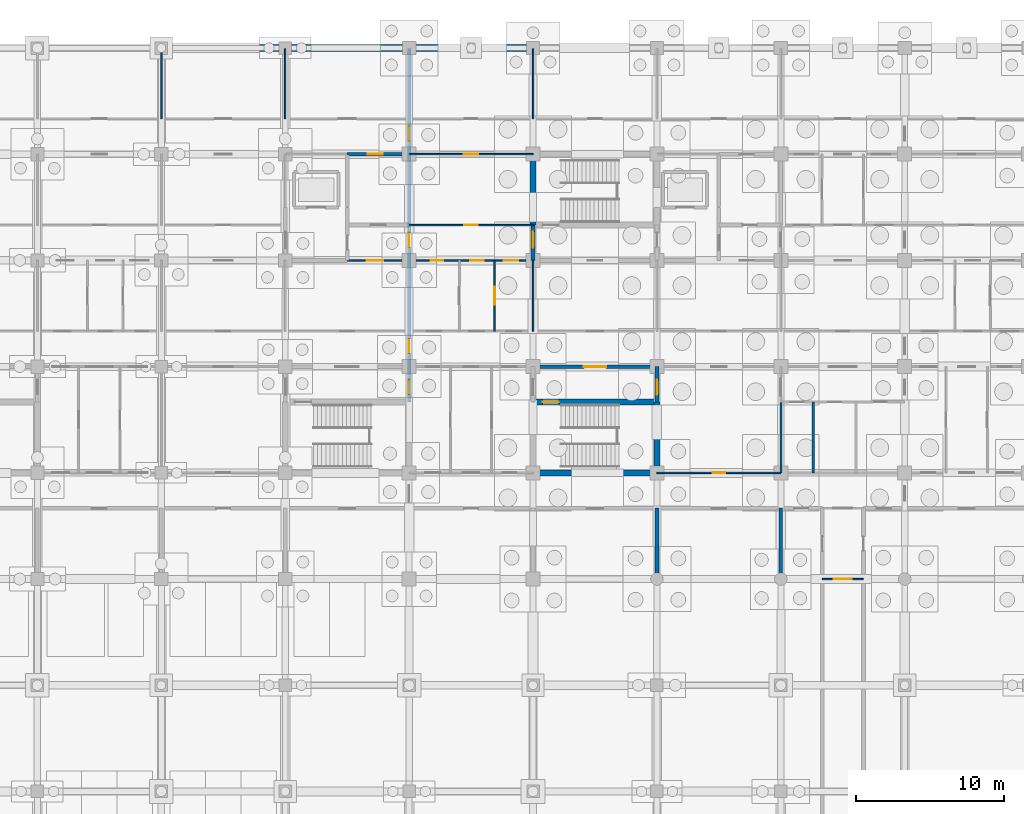
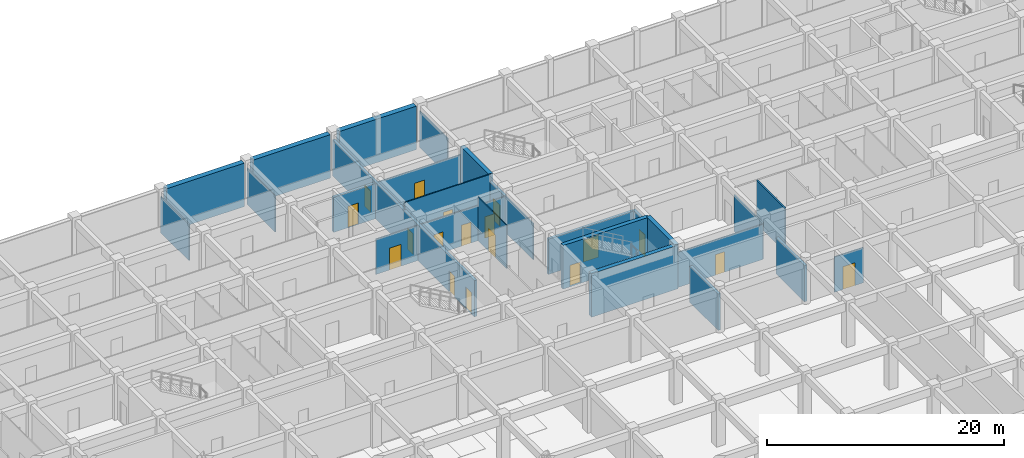
# One storey, part 36 of 85: 26 walls, 18 doors, 18 openings.
"""IFC4 building model written with IfcOpenShell, lengths in metres."""

from ifc_helpers import new_model, si_unit, direction, frame, frame_2d, origin, place, context, subcontext, project, spatial, rectangle, extrude, material, layer, layer_set, type_object, element, fill, save


model = new_model("IFC4")

# Units and contexts
model_context = context("Model", 3, precision=1e-05, world=origin(), true_north=direction((0.0, 1.0)))
body_context = subcontext(model_context, "Body", "Model", "MODEL_VIEW")
ifc_project = project(units=[si_unit("LENGTHUNIT", "METRE"), si_unit("AREAUNIT", "SQUARE_METRE"), si_unit("VOLUMEUNIT", "CUBIC_METRE"), si_unit("PLANEANGLEUNIT", "RADIAN"), si_unit("MASSUNIT", "GRAM", prefix="KILO")], contexts=[model_context])

# Site, building, storey
site_placement = place(None, origin())
site = spatial("IfcSite", under=ifc_project, at=site_placement, CompositionType="ELEMENT")
building_placement = place(site_placement, origin())
building = spatial("IfcBuilding", under=site, at=building_placement, Name="Chengyuan Square Courthouse", CompositionType="ELEMENT")
storey_placement = place(building_placement, frame((0.0, 0.0, -10.199951171875)))
storey = spatial("IfcBuildingStorey", under=building, at=storey_placement, Name="B02", CompositionType="ELEMENT", Elevation=-10.199951171875)

# Wall, opening, door
ifc_material_1 = material(Name="Concrete C40", Category="concrete")
ifc_layer_1 = layer(ifc_material_1, 0.25)
ifc_layer_set_1 = layer_set([ifc_layer_1], Name="Concrete C40")
wall_type_1 = type_object("IfcWallType", Name="WL-FW1", PredefinedType="STANDARD", material=ifc_layer_set_1)
wall_1_placement = place(storey_placement, frame((58.800048828125, 93.60009765625, 0.0), z_axis=(0.0, 0.0, 1.0), x_axis=(1.0, 0.0, 0.0)))
wall_1 = element("IfcWall", 1, at=wall_1_placement, inside=storey, type_object=wall_type_1, Name="Interior Wall WL-B02-I054", PredefinedType="STANDARD", context=body_context, shape_type="SweptSolid", body=[
    extrude(rectangle(XDim=8.39990234375, YDim=0.25, at=frame_2d((4.199951171875, 0.0))), origin(), (0.0, 0.0, 1.0), 3.6298828125),
])
opening_1_placement = place(wall_1_placement, frame((3.449951171875, 0.0, 0.0)))
opening_1 = element("IfcOpeningElement", 2, at=opening_1_placement, cuts=wall_1, Name="Opening DR-027", PredefinedType="OPENING", context=body_context, shape_type="SweptSolid", body=[
    extrude(rectangle(XDim=1.5, YDim=2.25, at=frame_2d((0.75, 1.125))), frame((0.0, 0.136962890625, 0.0), z_axis=(0.0, -1.0, 0.0), x_axis=(1.0, 0.0, 0.0)), (0.0, 0.0, 1.0), 0.27392578125),
])
ifc_material_2 = material(Name="Steel Q235B Glazed Fire Door", Category="steel")
door_type_1 = type_object("IfcDoorType", Name="DT-19", OperationType="DOUBLE_DOOR_SINGLE_SWING", PredefinedType="DOOR", material=ifc_material_2)
door_1_placement = place(opening_1_placement, frame((1.5, 0.0, 0.0), z_axis=(0.0, 0.0, 1.0), x_axis=(-1.0, 0.0, 0.0)))
door_1 = element("IfcDoor", 3, at=door_1_placement, inside=storey, type_object=door_type_1, Name="Interior Door DR-027", OperationType="DOUBLE_DOOR_SINGLE_SWING", OverallHeight=2.25, OverallWidth=1.5, PredefinedType="DOOR", context=body_context, shape_type="SweptSolid", body=[
    extrude(rectangle(XDim=1.5, YDim=2.25, at=frame_2d((0.75, 1.125))), frame((0.0, 0.02490234375, 0.0), z_axis=(0.0, -1.0, 0.0), x_axis=(1.0, 0.0, 0.0)), (0.0, 0.0, 1.0), 0.050048828125),
])
fill(opening_1, door_1)

wall_2_placement = place(storey_placement, frame((46.199951171875, 108.0, 0.0), z_axis=(0.0, 0.0, 1.0), x_axis=(1.0, 0.0, 0.0)))
wall_2 = element("IfcWall", 4, at=wall_2_placement, inside=storey, type_object=wall_type_1, Name="Interior Wall WL-B02-I096", PredefinedType="STANDARD", context=body_context, shape_type="SweptSolid", body=[
    extrude(rectangle(XDim=4.199951171875, YDim=0.25, at=frame_2d((2.10009765625, 0.0))), origin(), (0.0, 0.0, 1.0), 3.6298828125),
])
opening_2_placement = place(wall_2_placement, frame((1.402587890625, 0.0, 0.0)))
opening_2 = element("IfcOpeningElement", 5, at=opening_2_placement, cuts=wall_2, Name="Opening DR-077", PredefinedType="OPENING", context=body_context, shape_type="SweptSolid", body=[
    extrude(rectangle(XDim=1.0, YDim=2.199951171875, at=frame_2d((0.5, 1.10009765625))), frame((0.0, 0.136962890625, 0.0), z_axis=(0.0, -1.0, 0.0), x_axis=(1.0, 0.0, 0.0)), (0.0, 0.0, 1.0), 0.27392578125),
])
ifc_material_3 = material(Name="Steel Q235B Fire Door", Category="steel")
door_type_2 = type_object("IfcDoorType", Name="DT-11", OperationType="NOTDEFINED", PredefinedType="DOOR", material=ifc_material_3)
door_2_placement = place(opening_2_placement, origin())
door_2 = element("IfcDoor", 6, at=door_2_placement, inside=storey, type_object=door_type_2, Name="Interior Door DR-077", OperationType="SINGLE_SWING_LEFT", OverallHeight=2.199951171875, OverallWidth=1.0, PredefinedType="DOOR", context=body_context, shape_type="SweptSolid", body=[
    extrude(rectangle(XDim=1.0, YDim=2.199951171875, at=frame_2d((0.5, 1.10009765625))), frame((0.0, 0.02490234375, 0.0), z_axis=(0.0, -1.0, 0.0), x_axis=(1.0, 0.0, 0.0)), (0.0, 0.0, 1.0), 0.050048828125),
])
fill(opening_2, door_2)

# Wall, openings, doors
wall_3_placement = place(storey_placement, frame((50.39990234375, 91.199951171875, 0.0), z_axis=(0.0, 0.0, 1.0), x_axis=(0.0, 1.0, 0.0)))
wall_3 = element("IfcWall", 7, at=wall_3_placement, inside=storey, type_object=wall_type_1, Name="Interior Wall WL-B02-I159", PredefinedType="STANDARD", context=body_context, shape_type="SweptSolid", body=[
    extrude(rectangle(XDim=23.9599609375, YDim=0.25, at=frame_2d((11.97998046875, 0.0))), origin(), (0.0, 0.0, 1.0), 3.72998046875),
])
opening_3_placement = place(wall_3_placement, frame((0.50244140625, 0.0, 0.0)))
opening_3 = element("IfcOpeningElement", 8, at=opening_3_placement, cuts=wall_3, Name="Opening DR-035", PredefinedType="OPENING", context=body_context, shape_type="SweptSolid", body=[
    extrude(rectangle(XDim=1.0, YDim=2.199951171875, at=frame_2d((0.5, 1.10009765625))), frame((0.0, 0.136962890625, 0.0), z_axis=(0.0, -1.0, 0.0), x_axis=(1.0, 0.0, 0.0)), (0.0, 0.0, 1.0), 0.27392578125),
])
opening_4_placement = place(wall_3_placement, frame((10.5224609375, 0.0, 0.0)))
opening_4 = element("IfcOpeningElement", 9, at=opening_4_placement, cuts=wall_3, Name="Opening DR-075", PredefinedType="OPENING", context=body_context, shape_type="SweptSolid", body=[
    extrude(rectangle(XDim=0.949951171875, YDim=2.14990234375, at=frame_2d((0.47509765625, 1.074951171875))), frame((0.0, 0.136962890625, 0.0), z_axis=(0.0, -1.0, 0.0), x_axis=(1.0, 0.0, 0.0)), (0.0, 0.0, 1.0), 0.27392578125),
])
opening_5_placement = place(wall_3_placement, frame((3.322509765625, 0.0, 0.0)))
opening_5 = element("IfcOpeningElement", 10, at=opening_5_placement, cuts=wall_3, Name="Opening DR-147", PredefinedType="OPENING", context=body_context, shape_type="SweptSolid", body=[
    extrude(rectangle(XDim=0.949951171875, YDim=2.14990234375, at=frame_2d((0.47509765625, 1.074951171875))), frame((0.0, 0.136962890625, 0.0), z_axis=(0.0, -1.0, 0.0), x_axis=(1.0, 0.0, 0.0)), (0.0, 0.0, 1.0), 0.27392578125),
])
opening_6_placement = place(wall_3_placement, frame((17.697509765625, 0.0, 0.0)))
opening_6 = element("IfcOpeningElement", 11, at=opening_6_placement, cuts=wall_3, Name="Opening DR-266", PredefinedType="OPENING", context=body_context, shape_type="SweptSolid", body=[
    extrude(rectangle(XDim=1.0, YDim=2.199951171875, at=frame_2d((0.5, 1.10009765625))), frame((0.0, 0.136962890625, 0.0), z_axis=(0.0, -1.0, 0.0), x_axis=(1.0, 0.0, 0.0)), (0.0, 0.0, 1.0), 0.27392578125),
])
door_3_placement = place(opening_3_placement, origin())
door_3 = element("IfcDoor", 12, at=door_3_placement, inside=storey, type_object=door_type_2, Name="Interior Door DR-035", OperationType="SINGLE_SWING_RIGHT", OverallHeight=2.199951171875, OverallWidth=1.0, PredefinedType="DOOR", context=body_context, shape_type="SweptSolid", body=[
    extrude(rectangle(XDim=1.0, YDim=2.199951171875, at=frame_2d((0.5, 1.10009765625))), frame((0.0, 0.02490234375, 0.0), z_axis=(0.0, -1.0, 0.0), x_axis=(1.0, 0.0, 0.0)), (0.0, 0.0, 1.0), 0.050048828125),
])
fill(opening_3, door_3)
door_4_placement = place(opening_6_placement, origin())
door_4 = element("IfcDoor", 13, at=door_4_placement, inside=storey, type_object=door_type_2, Name="Interior Door DR-266", OperationType="SINGLE_SWING_LEFT", OverallHeight=2.199951171875, OverallWidth=1.0, PredefinedType="DOOR", context=body_context, shape_type="SweptSolid", body=[
    extrude(rectangle(XDim=1.0, YDim=2.199951171875, at=frame_2d((0.5, 1.10009765625))), frame((0.0, 0.02490234375, 0.0), z_axis=(0.0, -1.0, 0.0), x_axis=(1.0, 0.0, 0.0)), (0.0, 0.0, 1.0), 0.050048828125),
])
fill(opening_6, door_4)
door_type_3 = type_object("IfcDoorType", Name="DT-12", OperationType="NOTDEFINED", PredefinedType="DOOR", material=ifc_material_3)
door_5_placement = place(opening_4_placement, origin())
door_5 = element("IfcDoor", 14, at=door_5_placement, inside=storey, type_object=door_type_3, Name="Interior Door DR-075", OperationType="SINGLE_SWING_LEFT", OverallHeight=2.14990234375, OverallWidth=0.949951171875, PredefinedType="DOOR", context=body_context, shape_type="SweptSolid", body=[
    extrude(rectangle(XDim=0.949951171875, YDim=2.14990234375, at=frame_2d((0.47509765625, 1.074951171875))), frame((0.0, 0.02490234375, 0.0), z_axis=(0.0, -1.0, 0.0), x_axis=(1.0, 0.0, 0.0)), (0.0, 0.0, 1.0), 0.050048828125),
])
fill(opening_4, door_5)
door_6_placement = place(opening_5_placement, origin())
door_6 = element("IfcDoor", 15, at=door_6_placement, inside=storey, type_object=door_type_3, Name="Interior Door DR-147", OperationType="SINGLE_SWING_RIGHT", OverallHeight=2.14990234375, OverallWidth=0.949951171875, PredefinedType="DOOR", context=body_context, shape_type="SweptSolid", body=[
    extrude(rectangle(XDim=0.949951171875, YDim=2.14990234375, at=frame_2d((0.47509765625, 1.074951171875))), frame((0.0, 0.02490234375, 0.0), z_axis=(0.0, -1.0, 0.0), x_axis=(1.0, 0.0, 0.0)), (0.0, 0.0, 1.0), 0.050048828125),
])
fill(opening_5, door_6)

# Wall, opening, door
wall_4_placement = place(storey_placement, frame((58.800048828125, 100.800048828125, 0.0), z_axis=(0.0, 0.0, 1.0), x_axis=(0.0, 1.0, 0.0)))
wall_4 = element("IfcWall", 16, at=wall_4_placement, inside=storey, type_object=wall_type_1, Name="Interior Wall WL-B02-I168", PredefinedType="STANDARD", context=body_context, shape_type="SweptSolid", body=[
    extrude(rectangle(XDim=2.39990234375, YDim=0.25, at=frame_2d((1.199951171875, 0.0))), origin(), (0.0, 0.0, 1.0), 3.72998046875),
])
opening_7_placement = place(wall_4_placement, frame((0.847412109375, 0.0, 0.0)))
opening_7 = element("IfcOpeningElement", 17, at=opening_7_placement, cuts=wall_4, Name="Opening DR-022", PredefinedType="OPENING", context=body_context, shape_type="SweptSolid", body=[
    extrude(rectangle(XDim=1.10009765625, YDim=2.199951171875, at=frame_2d((0.550048828125, 1.10009765625))), frame((0.0, 0.136962890625, 0.0), z_axis=(0.0, -1.0, 0.0), x_axis=(1.0, 0.0, 0.0)), (0.0, 0.0, 1.0), 0.27392578125),
])
door_type_4 = type_object("IfcDoorType", Name="DT-10", OperationType="NOTDEFINED", PredefinedType="DOOR", material=ifc_material_3)
door_7_placement = place(opening_7_placement, origin())
door_7 = element("IfcDoor", 18, at=door_7_placement, inside=storey, type_object=door_type_4, Name="Interior Door DR-022", OperationType="SINGLE_SWING_RIGHT", OverallHeight=2.199951171875, OverallWidth=1.10009765625, PredefinedType="DOOR", context=body_context, shape_type="SweptSolid", body=[
    extrude(rectangle(XDim=1.10009765625, YDim=2.199951171875, at=frame_2d((0.550048828125, 1.10009765625))), frame((0.0, 0.02490234375, 0.0), z_axis=(0.0, -1.0, 0.0), x_axis=(1.0, 0.0, 0.0)), (0.0, 0.0, 1.0), 0.050048828125),
])
fill(opening_7, door_7)

# Wall
wall_5_placement = place(storey_placement, frame((67.199951171875, 79.199951171875, 0.0), z_axis=(0.0, 0.0, 1.0), x_axis=(0.0, 1.0, 0.0)))
element("IfcWall", 19, at=wall_5_placement, inside=storey, type_object=wall_type_1, Name="Interior Wall WL-B02-I171", PredefinedType="STANDARD", context=body_context, shape_type="SweptSolid", body=[
    extrude(rectangle(XDim=4.800048828125, YDim=0.25, at=frame_2d((2.39990234375, 0.0))), origin(), (0.0, 0.0, 1.0), 3.72998046875),
])

# Wall, opening, door
wall_6_placement = place(storey_placement, frame((67.199951171875, 91.199951171875, 0.0), z_axis=(0.0, 0.0, 1.0), x_axis=(0.0, 1.0, 0.0)))
wall_6 = element("IfcWall", 20, at=wall_6_placement, inside=storey, type_object=wall_type_1, Name="Interior Wall WL-B02-I173", PredefinedType="STANDARD", context=body_context, shape_type="SweptSolid", body=[
    extrude(rectangle(XDim=2.400146484375, YDim=0.25, at=frame_2d((1.2001953125, 0.0))), origin(), (0.0, 0.0, 1.0), 3.72998046875),
])
opening_8_placement = place(wall_6_placement, frame((0.50244140625, 0.0, 0.0)))
opening_8 = element("IfcOpeningElement", 21, at=opening_8_placement, cuts=wall_6, Name="Opening DR-029", PredefinedType="OPENING", context=body_context, shape_type="SweptSolid", body=[
    extrude(rectangle(XDim=1.0, YDim=2.199951171875, at=frame_2d((0.5, 1.10009765625))), frame((0.0, 0.136962890625, 0.0), z_axis=(0.0, -1.0, 0.0), x_axis=(1.0, 0.0, 0.0)), (0.0, 0.0, 1.0), 0.27392578125),
])
door_8_placement = place(opening_8_placement, origin())
door_8 = element("IfcDoor", 22, at=door_8_placement, inside=storey, type_object=door_type_2, Name="Interior Door DR-029", OperationType="SINGLE_SWING_RIGHT", OverallHeight=2.199951171875, OverallWidth=1.0, PredefinedType="DOOR", context=body_context, shape_type="SweptSolid", body=[
    extrude(rectangle(XDim=1.0, YDim=2.199951171875, at=frame_2d((0.5, 1.10009765625))), frame((0.0, 0.02490234375, 0.0), z_axis=(0.0, -1.0, 0.0), x_axis=(1.0, 0.0, 0.0)), (0.0, 0.0, 1.0), 0.050048828125),
])
fill(opening_8, door_8)

# Walls
wall_7_placement = place(storey_placement, frame((75.60009765625, 79.199951171875, 0.0), z_axis=(0.0, 0.0, 1.0), x_axis=(0.0, 1.0, 0.0)))
element("IfcWall", 23, at=wall_7_placement, inside=storey, type_object=wall_type_1, Name="Interior Wall WL-B02-I183", PredefinedType="STANDARD", context=body_context, shape_type="SweptSolid", body=[
    extrude(rectangle(XDim=4.800048828125, YDim=0.25, at=frame_2d((2.39990234375, 0.0))), origin(), (0.0, 0.0, 1.0), 3.72998046875),
])
ifc_material_4 = material(Name="Moisture-Resistant Masonry Wet-Room Partition", Category="masonry")
ifc_layer_2 = layer(ifc_material_4, 0.139892578125)
ifc_layer_set_2 = layer_set([ifc_layer_2], Name="Moisture-Resistant Masonry Wet-Room Partition")
wall_type_2 = type_object("IfcWallType", Name="WL-PT4", PredefinedType="STANDARD", material=ifc_layer_set_2)
wall_8_placement = place(storey_placement, frame((75.60009765625, 86.39990234375, 0.0), z_axis=(0.0, 0.0, 1.0), x_axis=(0.0, 1.0, 0.0)))
element("IfcWall", 24, at=wall_8_placement, inside=storey, type_object=wall_type_2, Name="Interior Wall WL-B02-I184", PredefinedType="STANDARD", context=body_context, shape_type="SweptSolid", body=[
    extrude(rectangle(XDim=4.800048828125, YDim=0.139892578125, at=frame_2d((2.39990234375, 0.0))), origin(), (0.0, 0.0, 1.0), 3.72998046875),
])
wall_9_placement = place(storey_placement, frame((77.800048828125, 86.39990234375, 0.0), z_axis=(0.0, 0.0, 1.0), x_axis=(0.0, 1.0, 0.0)))
element("IfcWall", 25, at=wall_9_placement, inside=storey, type_object=wall_type_2, Name="Interior Wall WL-B02-I189", PredefinedType="STANDARD", context=body_context, shape_type="SweptSolid", body=[
    extrude(rectangle(XDim=4.800048828125, YDim=0.139892578125, at=frame_2d((2.39990234375, 0.0))), origin(), (0.0, 0.0, 1.0), 4.47998046875),
])

# Wall, opening, door
ifc_material_5 = material(Name="Gypsum Plasterboard Acoustic Stud Partition")
ifc_layer_3 = layer(ifc_material_5, 0.10009765625)
ifc_layer_set_3 = layer_set([ifc_layer_3], Name="Gypsum Plasterboard Acoustic Stud Partition")
wall_type_3 = type_object("IfcWallType", Name="WL-PT6", PredefinedType="STANDARD", material=ifc_layer_set_3)
wall_10_placement = place(storey_placement, frame((78.39990234375, 79.199951171875, 0.0), z_axis=(0.0, 0.0, 1.0), x_axis=(1.0, 0.0, 0.0)))
wall_10 = element("IfcWall", 26, at=wall_10_placement, inside=storey, type_object=wall_type_3, Name="Interior Wall WL-B02-I020", PredefinedType="STANDARD", context=body_context, shape_type="SweptSolid", body=[
    extrude(rectangle(XDim=2.800048828125, YDim=0.10009765625, at=frame_2d((1.39990234375, 0.0))), origin(), (0.0, 0.0, 1.0), 3.6298828125),
])
opening_9_placement = place(wall_10_placement, frame((0.800048828125, 0.0, 0.0)))
opening_9 = element("IfcOpeningElement", 27, at=opening_9_placement, cuts=wall_10, Name="Opening DR-316", PredefinedType="OPENING", context=body_context, shape_type="SweptSolid", body=[
    extrude(rectangle(XDim=1.199951171875, YDim=2.35009765625, at=frame_2d((0.60009765625, 1.175048828125))), frame((0.0, 0.06201171875, 0.0), z_axis=(0.0, -1.0, 0.0), x_axis=(1.0, 0.0, 0.0)), (0.0, 0.0, 1.0), 0.1240234375),
])
ifc_material_6 = material(Name="Acoustic Solid-Core Timber Door", Category="wood")
door_type_5 = type_object("IfcDoorType", Name="DT-36", OperationType="NOTDEFINED", PredefinedType="DOOR", material=ifc_material_6)
door_9_placement = place(opening_9_placement, origin())
door_9 = element("IfcDoor", 28, at=door_9_placement, inside=storey, type_object=door_type_5, Name="Interior Door DR-316", OperationType="SINGLE_SWING_LEFT", OverallHeight=2.35009765625, OverallWidth=1.199951171875, PredefinedType="DOOR", context=body_context, shape_type="SweptSolid", body=[
    extrude(rectangle(XDim=1.199951171875, YDim=2.35009765625, at=frame_2d((0.60009765625, 1.175048828125))), frame((0.0, 0.02490234375, 0.0), z_axis=(0.0, -1.0, 0.0), x_axis=(1.0, 0.0, 0.0)), (0.0, 0.0, 1.0), 0.050048828125),
])
fill(opening_9, door_9)

wall_11_placement = place(storey_placement, frame((67.199951171875, 86.39990234375, 0.0), z_axis=(0.0, 0.0, 1.0), x_axis=(1.0, 0.0, 0.0)))
wall_11 = element("IfcWall", 29, at=wall_11_placement, inside=storey, type_object=wall_type_3, Name="Interior Wall WL-B02-I033", PredefinedType="STANDARD", context=body_context, shape_type="SweptSolid", body=[
    extrude(rectangle(XDim=8.400146484375, YDim=0.10009765625, at=frame_2d((4.2001953125, 0.0))), origin(), (0.0, 0.0, 1.0), 3.6298828125),
])
opening_10_placement = place(wall_11_placement, frame((3.77001953125, 0.0, 0.0)))
opening_10 = element("IfcOpeningElement", 30, at=opening_10_placement, cuts=wall_11, Name="Opening DR-240", PredefinedType="OPENING", context=body_context, shape_type="SweptSolid", body=[
    extrude(rectangle(XDim=0.860107421875, YDim=2.10009765625, at=frame_2d((0.43017578125, 1.050048828125))), frame((0.0, 0.06201171875, 0.0), z_axis=(0.0, -1.0, 0.0), x_axis=(1.0, 0.0, 0.0)), (0.0, 0.0, 1.0), 0.1240234375),
])
door_type_6 = type_object("IfcDoorType", Name="DT-28", OperationType="NOTDEFINED", PredefinedType="DOOR", material=ifc_material_6)
door_10_placement = place(opening_10_placement, origin())
door_10 = element("IfcDoor", 31, at=door_10_placement, inside=storey, type_object=door_type_6, Name="Interior Door DR-240", OperationType="SINGLE_SWING_RIGHT", OverallHeight=2.10009765625, OverallWidth=0.860107421875, PredefinedType="DOOR", context=body_context, shape_type="SweptSolid", body=[
    extrude(rectangle(XDim=0.860107421875, YDim=2.10009765625, at=frame_2d((0.43017578125, 1.050048828125))), frame((0.0, 0.02490234375, 0.0), z_axis=(0.0, -1.0, 0.0), x_axis=(1.0, 0.0, 0.0)), (0.0, 0.0, 1.0), 0.050048828125),
])
fill(opening_10, door_10)

# Wall, openings, doors
wall_12_placement = place(storey_placement, frame((46.199951171875, 100.800048828125, 0.0), z_axis=(0.0, 0.0, 1.0), x_axis=(1.0, 0.0, 0.0)))
wall_12 = element("IfcWall", 32, at=wall_12_placement, inside=storey, type_object=wall_type_3, Name="Interior Wall WL-B02-I066", PredefinedType="STANDARD", context=body_context, shape_type="SweptSolid", body=[
    extrude(rectangle(XDim=12.60009765625, YDim=0.10009765625, at=frame_2d((6.300048828125, 0.0))), origin(), (0.0, 0.0, 1.0), 3.6298828125),
])
opening_11_placement = place(wall_12_placement, frame((1.342529296875, 0.0, 0.0)))
opening_11 = element("IfcOpeningElement", 33, at=opening_11_placement, cuts=wall_12, Name="Opening DR-076", PredefinedType="OPENING", context=body_context, shape_type="SweptSolid", body=[
    extrude(rectangle(XDim=1.1201171875, YDim=2.25, at=frame_2d((0.56005859375, 1.125))), frame((0.0, 0.06201171875, 0.0), z_axis=(0.0, -1.0, 0.0), x_axis=(1.0, 0.0, 0.0)), (0.0, 0.0, 1.0), 0.1240234375),
])
opening_12_placement = place(wall_12_placement, frame((5.66748046875, 0.0, 0.0)))
opening_12 = element("IfcOpeningElement", 34, at=opening_12_placement, cuts=wall_12, Name="Opening DR-104", PredefinedType="OPENING", context=body_context, shape_type="SweptSolid", body=[
    extrude(rectangle(XDim=0.860107421875, YDim=2.10009765625, at=frame_2d((0.43017578125, 1.050048828125))), frame((0.0, 0.06201171875, 0.0), z_axis=(0.0, -1.0, 0.0), x_axis=(1.0, 0.0, 0.0)), (0.0, 0.0, 1.0), 0.1240234375),
])
opening_13_placement = place(wall_12_placement, frame((8.340087890625, 0.0, 0.0)))
opening_13 = element("IfcOpeningElement", 35, at=opening_13_placement, cuts=wall_12, Name="Opening DR-105", PredefinedType="OPENING", context=body_context, shape_type="SweptSolid", body=[
    extrude(rectangle(XDim=0.919921875, YDim=2.14990234375, at=frame_2d((0.4599609375, 1.074951171875))), frame((0.0, 0.06201171875, 0.0), z_axis=(0.0, -1.0, 0.0), x_axis=(1.0, 0.0, 0.0)), (0.0, 0.0, 1.0), 0.1240234375),
])
opening_14_placement = place(wall_12_placement, frame((10.62255859375, 0.0, 0.0)))
opening_14 = element("IfcOpeningElement", 36, at=opening_14_placement, cuts=wall_12, Name="Opening DR-106", PredefinedType="OPENING", context=body_context, shape_type="SweptSolid", body=[
    extrude(rectangle(XDim=0.9599609375, YDim=2.199951171875, at=frame_2d((0.47998046875, 1.10009765625))), frame((0.0, 0.06201171875, 0.0), z_axis=(0.0, -1.0, 0.0), x_axis=(1.0, 0.0, 0.0)), (0.0, 0.0, 1.0), 0.1240234375),
])
door_11_placement = place(opening_12_placement, origin())
door_11 = element("IfcDoor", 37, at=door_11_placement, inside=storey, type_object=door_type_6, Name="Interior Door DR-104", OperationType="SINGLE_SWING_RIGHT", OverallHeight=2.10009765625, OverallWidth=0.860107421875, PredefinedType="DOOR", context=body_context, shape_type="SweptSolid", body=[
    extrude(rectangle(XDim=0.860107421875, YDim=2.10009765625, at=frame_2d((0.43017578125, 1.050048828125))), frame((0.0, 0.02490234375, 0.0), z_axis=(0.0, -1.0, 0.0), x_axis=(1.0, 0.0, 0.0)), (0.0, 0.0, 1.0), 0.050048828125),
])
fill(opening_12, door_11)
door_type_7 = type_object("IfcDoorType", Name="DT-29", OperationType="NOTDEFINED", PredefinedType="DOOR", material=ifc_material_6)
door_12_placement = place(opening_13_placement, origin())
door_12 = element("IfcDoor", 38, at=door_12_placement, inside=storey, type_object=door_type_7, Name="Interior Door DR-105", OperationType="SINGLE_SWING_LEFT", OverallHeight=2.14990234375, OverallWidth=0.919921875, PredefinedType="DOOR", context=body_context, shape_type="SweptSolid", body=[
    extrude(rectangle(XDim=0.919921875, YDim=2.14990234375, at=frame_2d((0.4599609375, 1.074951171875))), frame((0.0, 0.02490234375, 0.0), z_axis=(0.0, -1.0, 0.0), x_axis=(1.0, 0.0, 0.0)), (0.0, 0.0, 1.0), 0.050048828125),
])
fill(opening_13, door_12)
door_type_8 = type_object("IfcDoorType", Name="DT-30", OperationType="NOTDEFINED", PredefinedType="DOOR", material=ifc_material_6)
door_13_placement = place(opening_14_placement, origin())
door_13 = element("IfcDoor", 39, at=door_13_placement, inside=storey, type_object=door_type_8, Name="Interior Door DR-106", OperationType="SINGLE_SWING_RIGHT", OverallHeight=2.199951171875, OverallWidth=0.9599609375, PredefinedType="DOOR", context=body_context, shape_type="SweptSolid", body=[
    extrude(rectangle(XDim=0.9599609375, YDim=2.199951171875, at=frame_2d((0.47998046875, 1.10009765625))), frame((0.0, 0.02490234375, 0.0), z_axis=(0.0, -1.0, 0.0), x_axis=(1.0, 0.0, 0.0)), (0.0, 0.0, 1.0), 0.050048828125),
])
fill(opening_14, door_13)
door_type_9 = type_object("IfcDoorType", Name="DT-34", OperationType="NOTDEFINED", PredefinedType="DOOR", material=ifc_material_6)
door_14_placement = place(opening_11_placement, origin())
door_14 = element("IfcDoor", 40, at=door_14_placement, inside=storey, type_object=door_type_9, Name="Interior Door DR-076", OperationType="SINGLE_SWING_RIGHT", OverallHeight=2.25, OverallWidth=1.1201171875, PredefinedType="DOOR", context=body_context, shape_type="SweptSolid", body=[
    extrude(rectangle(XDim=1.1201171875, YDim=2.25, at=frame_2d((0.56005859375, 1.125))), frame((0.0, 0.02490234375, 0.0), z_axis=(0.0, -1.0, 0.0), x_axis=(1.0, 0.0, 0.0)), (0.0, 0.0, 1.0), 0.050048828125),
])
fill(opening_11, door_14)

# Wall, opening, door
wall_13_placement = place(storey_placement, frame((50.39990234375, 103.199951171875, 0.0), z_axis=(0.0, 0.0, 1.0), x_axis=(1.0, 0.0, 0.0)))
wall_13 = element("IfcWall", 41, at=wall_13_placement, inside=storey, type_object=wall_type_3, Name="Interior Wall WL-B02-I076", PredefinedType="STANDARD", context=body_context, shape_type="SweptSolid", body=[
    extrude(rectangle(XDim=8.400146484375, YDim=0.10009765625, at=frame_2d((4.2001953125, 0.0))), origin(), (0.0, 0.0, 1.0), 4.47998046875),
])
opening_15_placement = place(wall_13_placement, frame((3.75, 0.0, 0.0)))
opening_15 = element("IfcOpeningElement", 42, at=opening_15_placement, cuts=wall_13, Name="Opening DR-103", PredefinedType="OPENING", context=body_context, shape_type="SweptSolid", body=[
    extrude(rectangle(XDim=0.89990234375, YDim=2.14990234375, at=frame_2d((0.449951171875, 1.074951171875))), frame((0.0, 0.06201171875, 0.0), z_axis=(0.0, -1.0, 0.0), x_axis=(1.0, 0.0, 0.0)), (0.0, 0.0, 1.0), 0.1240234375),
])
door_type_10 = type_object("IfcDoorType", Name="DT-27", OperationType="NOTDEFINED", PredefinedType="DOOR", material=ifc_material_6)
door_15_placement = place(opening_15_placement, origin())
door_15 = element("IfcDoor", 43, at=door_15_placement, inside=storey, type_object=door_type_10, Name="Interior Door DR-103", OperationType="SINGLE_SWING_LEFT", OverallHeight=2.14990234375, OverallWidth=0.89990234375, PredefinedType="DOOR", context=body_context, shape_type="SweptSolid", body=[
    extrude(rectangle(XDim=0.89990234375, YDim=2.14990234375, at=frame_2d((0.449951171875, 1.074951171875))), frame((0.0, 0.02490234375, 0.0), z_axis=(0.0, -1.0, 0.0), x_axis=(1.0, 0.0, 0.0)), (0.0, 0.0, 1.0), 0.050048828125),
])
fill(opening_15, door_15)

wall_14_placement = place(storey_placement, frame((50.39990234375, 108.0, 0.0), z_axis=(0.0, 0.0, 1.0), x_axis=(1.0, 0.0, 0.0)))
wall_14 = element("IfcWall", 44, at=wall_14_placement, inside=storey, type_object=wall_type_3, Name="Interior Wall WL-B02-I097", PredefinedType="STANDARD", context=body_context, shape_type="SweptSolid", body=[
    extrude(rectangle(XDim=8.400146484375, YDim=0.10009765625, at=frame_2d((4.2001953125, 0.0))), origin(), (0.0, 0.0, 1.0), 3.6298828125),
])
opening_16_placement = place(wall_14_placement, frame((3.699951171875, 0.0, 0.0)))
opening_16 = element("IfcOpeningElement", 45, at=opening_16_placement, cuts=wall_14, Name="Opening DR-107", PredefinedType="OPENING", context=body_context, shape_type="SweptSolid", body=[
    extrude(rectangle(XDim=1.0, YDim=2.25, at=frame_2d((0.5, 1.125))), frame((0.0, 0.06201171875, 0.0), z_axis=(0.0, -1.0, 0.0), x_axis=(1.0, 0.0, 0.0)), (0.0, 0.0, 1.0), 0.1240234375),
])
door_type_11 = type_object("IfcDoorType", Name="DT-31", OperationType="NOTDEFINED", PredefinedType="DOOR", material=ifc_material_6)
door_16_placement = place(opening_16_placement, origin())
door_16 = element("IfcDoor", 46, at=door_16_placement, inside=storey, type_object=door_type_11, Name="Interior Door DR-107", OperationType="SINGLE_SWING_LEFT", OverallHeight=2.25, OverallWidth=1.0, PredefinedType="DOOR", context=body_context, shape_type="SweptSolid", body=[
    extrude(rectangle(XDim=1.0, YDim=2.25, at=frame_2d((0.5, 1.125))), frame((0.0, 0.02490234375, 0.0), z_axis=(0.0, -1.0, 0.0), x_axis=(1.0, 0.0, 0.0)), (0.0, 0.0, 1.0), 0.050048828125),
])
fill(opening_16, door_16)

# Walls
for number, where, z_axis, x_axis, name in (
    (47, (33.60009765625, 110.39990234375, 0.0), (0.0, 0.0, 1.0), (0.0, 1.0, 0.0), "Interior Wall WL-B02-I145"),
    (48, (42.0, 110.39990234375, 0.0), (0.0, 0.0, 1.0), (0.0, 1.0, 0.0), "Interior Wall WL-B02-I152"),
):
    element("IfcWall", number, at=place(storey_placement, frame(where, z_axis=z_axis, x_axis=x_axis)), inside=storey, type_object=wall_type_3, Name=name, PredefinedType="STANDARD", context=body_context, shape_type="SweptSolid", body=[
        extrude(rectangle(XDim=4.760009765625, YDim=0.10009765625, at=frame_2d((2.3798828125, 0.0))), origin(), (0.0, 0.0, 1.0), 3.72998046875),
    ])

# Wall, opening, door
wall_15_placement = place(storey_placement, frame((56.199951171875, 96.0, 0.0), z_axis=(0.0, 0.0, 1.0), x_axis=(0.0, 1.0, 0.0)))
wall_15 = element("IfcWall", 49, at=wall_15_placement, inside=storey, type_object=wall_type_3, Name="Interior Wall WL-B02-I163", PredefinedType="STANDARD", context=body_context, shape_type="SweptSolid", body=[
    extrude(rectangle(XDim=4.800048828125, YDim=0.10009765625, at=frame_2d((2.39990234375, 0.0))), origin(), (0.0, 0.0, 1.0), 4.47998046875),
])
opening_17_placement = place(wall_15_placement, frame((1.800048828125, 0.0, 0.0)))
opening_17 = element("IfcOpeningElement", 50, at=opening_17_placement, cuts=wall_15, Name="Opening DR-214", PredefinedType="OPENING", context=body_context, shape_type="SweptSolid", body=[
    extrude(rectangle(XDim=1.199951171875, YDim=2.35009765625, at=frame_2d((0.60009765625, 1.175048828125))), frame((0.0, 0.06201171875, 0.0), z_axis=(0.0, -1.0, 0.0), x_axis=(1.0, 0.0, 0.0)), (0.0, 0.0, 1.0), 0.1240234375),
])
door_17_placement = place(opening_17_placement, origin())
door_17 = element("IfcDoor", 51, at=door_17_placement, inside=storey, type_object=door_type_5, Name="Interior Door DR-214", OperationType="SINGLE_SWING_RIGHT", OverallHeight=2.35009765625, OverallWidth=1.199951171875, PredefinedType="DOOR", context=body_context, shape_type="SweptSolid", body=[
    extrude(rectangle(XDim=1.199951171875, YDim=2.35009765625, at=frame_2d((0.60009765625, 1.175048828125))), frame((0.0, 0.02490234375, 0.0), z_axis=(0.0, -1.0, 0.0), x_axis=(1.0, 0.0, 0.0)), (0.0, 0.0, 1.0), 0.050048828125),
])
fill(opening_17, door_17)

# Walls
wall_16_placement = place(storey_placement, frame((58.800048828125, 96.0, 0.0), z_axis=(0.0, 0.0, 1.0), x_axis=(0.0, 1.0, 0.0)))
element("IfcWall", 52, at=wall_16_placement, inside=storey, type_object=wall_type_3, Name="Interior Wall WL-B02-I167", PredefinedType="STANDARD", context=body_context, shape_type="SweptSolid", body=[
    extrude(rectangle(XDim=4.800048828125, YDim=0.10009765625, at=frame_2d((2.39990234375, 0.0))), origin(), (0.0, 0.0, 1.0), 3.72998046875),
])
wall_17_placement = place(storey_placement, frame((58.800048828125, 110.39990234375, 0.0), z_axis=(0.0, 0.0, 1.0), x_axis=(0.0, 1.0, 0.0)))
element("IfcWall", 53, at=wall_17_placement, inside=storey, type_object=wall_type_3, Name="Interior Wall WL-B02-I170", PredefinedType="STANDARD", context=body_context, shape_type="SweptSolid", body=[
    extrude(rectangle(XDim=4.760009765625, YDim=0.10009765625, at=frame_2d((2.3798828125, 0.0))), origin(), (0.0, 0.0, 1.0), 3.72998046875),
])
ifc_layer_4 = layer(ifc_material_1, 0.5)
ifc_layer_set_4 = layer_set([ifc_layer_4], Name="Concrete C40")
wall_type_4 = type_object("IfcWallType", Name="WL-RW1", PredefinedType="USERDEFINED", material=ifc_layer_set_4)
wall_18_placement = place(storey_placement, frame((34.02001953125, 115.199951171875, 0.0), z_axis=(0.0, 0.0, 1.0), x_axis=(1.0, 0.0, 0.0)))
element("IfcWall", 54, at=wall_18_placement, inside=storey, type_object=wall_type_4, Name="Basement Retaining Wall WL-B02-E026", ObjectType="RETAININGWALL", PredefinedType="USERDEFINED", context=body_context, shape_type="SweptSolid", body=[
    extrude(rectangle(XDim=7.56005859375, YDim=0.5, at=frame_2d((3.780029296875, 0.0))), origin(), (0.0, 0.0, 1.0), 4.47998046875),
])
wall_19_placement = place(storey_placement, frame((42.419921875, 115.199951171875, 0.0), z_axis=(0.0, 0.0, 1.0), x_axis=(1.0, 0.0, 0.0)))
element("IfcWall", 55, at=wall_19_placement, inside=storey, type_object=wall_type_4, Name="Basement Retaining Wall WL-B02-E028", ObjectType="RETAININGWALL", PredefinedType="USERDEFINED", context=body_context, shape_type="SweptSolid", body=[
    extrude(rectangle(XDim=7.53515625, YDim=0.5, at=frame_2d((3.767578125, 0.0))), origin(), (0.0, 0.0, 1.0), 4.47998046875),
])
wall_20_placement = place(storey_placement, frame((50.844970703125, 115.199951171875, 0.0), z_axis=(0.0, 0.0, 1.0), x_axis=(1.0, 0.0, 0.0)))
element("IfcWall", 56, at=wall_20_placement, inside=storey, type_object=wall_type_4, Name="Basement Retaining Wall WL-B02-E030", ObjectType="RETAININGWALL", PredefinedType="USERDEFINED", context=body_context, shape_type="SweptSolid", body=[
    extrude(rectangle(XDim=7.510009765625, YDim=0.5, at=frame_2d((3.7548828125, 0.0))), origin(), (0.0, 0.0, 1.0), 4.47998046875),
])
ifc_material_7 = material(Name="Concrete C50", Category="concrete")
ifc_layer_5 = layer(ifc_material_7, 0.39990234375)
ifc_layer_set_5 = layer_set([ifc_layer_5], Name="Concrete C50")
wall_type_5 = type_object("IfcWallType", Name="WL-SW1", PredefinedType="SHEAR", material=ifc_layer_set_5)
wall_21_placement = place(storey_placement, frame((58.800048828125, 86.39990234375, 0.0), z_axis=(0.0, 0.0, 1.0), x_axis=(1.0, 0.0, 0.0)))
element("IfcWall", 57, at=wall_21_placement, inside=storey, type_object=wall_type_5, Name="Interior Wall WL-B02-I032", PredefinedType="SHEAR", context=body_context, shape_type="SweptSolid", body=[
    extrude(rectangle(XDim=8.39990234375, YDim=0.39990234375, at=frame_2d((4.199951171875, 0.0))), origin(), (0.0, 0.0, 1.0), 4.47998046875),
])

# Wall, opening, door
wall_22_placement = place(storey_placement, frame((58.800048828125, 91.199951171875, 0.0), z_axis=(0.0, 0.0, 1.0), x_axis=(1.0, 0.0, 0.0)))
wall_22 = element("IfcWall", 58, at=wall_22_placement, inside=storey, type_object=wall_type_5, Name="Interior Wall WL-B02-I044", PredefinedType="SHEAR", context=body_context, shape_type="SweptSolid", body=[
    extrude(rectangle(XDim=8.39990234375, YDim=0.39990234375, at=frame_2d((4.199951171875, 0.0))), origin(), (0.0, 0.0, 1.0), 4.47998046875),
])
opening_18_placement = place(wall_22_placement, frame((0.64990234375, 0.0, 0.0)))
opening_18 = element("IfcOpeningElement", 59, at=opening_18_placement, cuts=wall_22, Name="Opening DR-013", PredefinedType="OPENING", context=body_context, shape_type="SweptSolid", body=[
    extrude(rectangle(XDim=1.10009765625, YDim=2.199951171875, at=frame_2d((0.550048828125, 1.10009765625))), frame((0.0, 0.2119140625, 0.0), z_axis=(0.0, -1.0, 0.0), x_axis=(1.0, 0.0, 0.0)), (0.0, 0.0, 1.0), 0.423828125),
])
door_18_placement = place(opening_18_placement, frame((1.10009765625, 0.0, 0.0), z_axis=(0.0, 0.0, 1.0), x_axis=(-1.0, 0.0, 0.0)))
door_18 = element("IfcDoor", 60, at=door_18_placement, inside=storey, type_object=door_type_4, Name="Smoke-Proof Stairwell Fire Door ST-3 DR-013", OperationType="SINGLE_SWING_LEFT", OverallHeight=2.199951171875, OverallWidth=1.10009765625, PredefinedType="DOOR", context=body_context, shape_type="SweptSolid", body=[
    extrude(rectangle(XDim=1.10009765625, YDim=2.199951171875, at=frame_2d((0.550048828125, 1.10009765625))), frame((0.0, 0.02490234375, 0.0), z_axis=(0.0, -1.0, 0.0), x_axis=(1.0, 0.0, 0.0)), (0.0, 0.0, 1.0), 0.050048828125),
])
fill(opening_18, door_18)

# Walls
for number, where, z_axis, x_axis, name in (
    (61, (58.800048828125, 103.199951171875, 0.0), (0.0, 0.0, 1.0), (0.0, 1.0, 0.0), "Interior Wall WL-B02-I169"),
    (62, (67.199951171875, 86.39990234375, 0.0), (0.0, 0.0, 1.0), (0.0, 1.0, 0.0), "Interior Wall WL-B02-I172"),
):
    element("IfcWall", number, at=place(storey_placement, frame(where, z_axis=z_axis, x_axis=x_axis)), inside=storey, type_object=wall_type_5, Name=name, PredefinedType="SHEAR", context=body_context, shape_type="SweptSolid", body=[
        extrude(rectangle(XDim=4.800048828125, YDim=0.39990234375, at=frame_2d((2.39990234375, 0.0))), origin(), (0.0, 0.0, 1.0), 4.47998046875),
    ])

save(model, "model.ifc")
